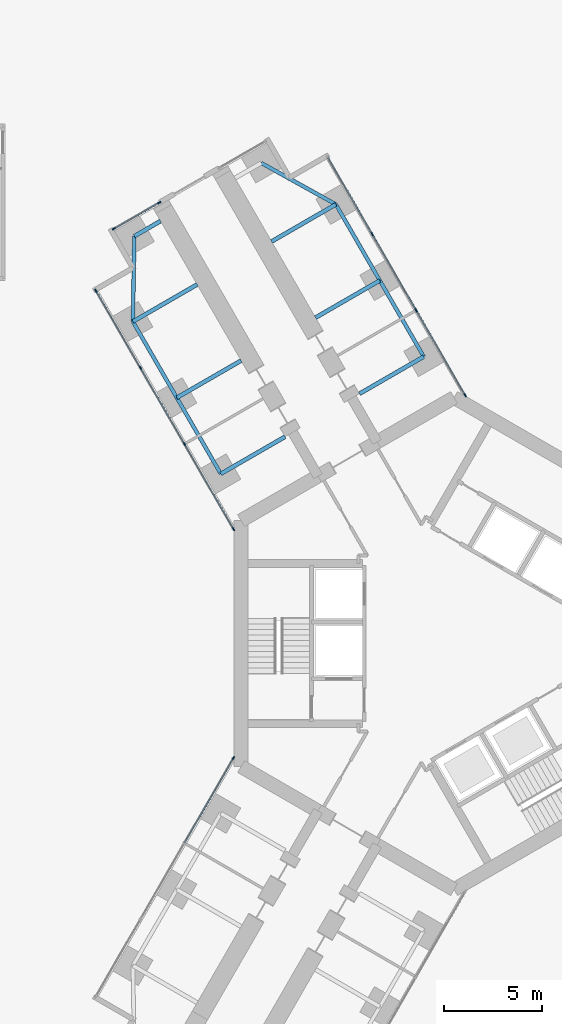
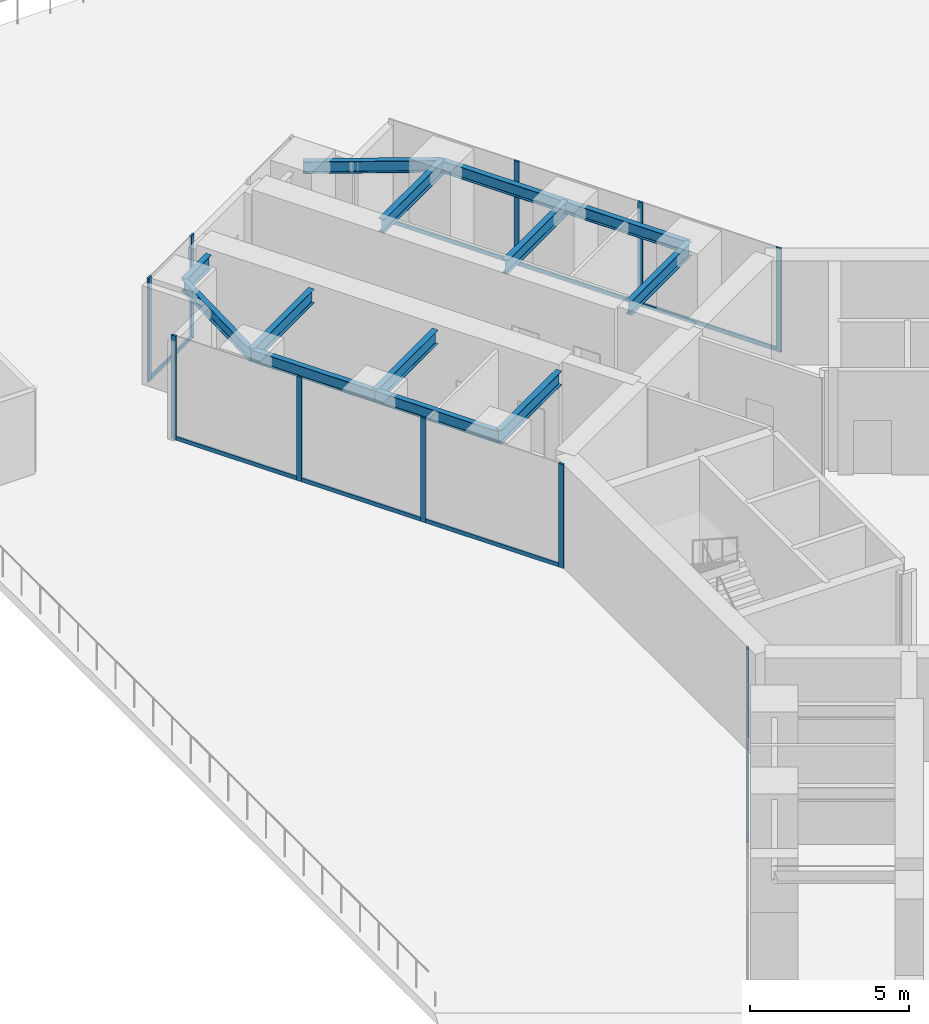
# One storey, part 4 of 23: 18 members, 13 beams, 4 elements without a shape of their own.
"""IFC4 building model written with IfcOpenShell, lengths in metres."""

import ifcopenshell
import ifcopenshell.guid

model = None  # the IFC model being written
_history = None  # IfcOwnerHistory: only IFC2X3 demands one
_inside = {}  # id of a spatial element -> (the spatial element, [elements in it])
_under = {}  # id of a project, library or spatial element -> (it, [spatial elements below it])
_declared = {}  # id of a project -> (the project, [libraries it declares])
_typed = {}  # id of a type object -> (the type object, [elements of that type])
_made_of = {}  # id of a material, layer set ... -> (it, [elements and type objects made of it])


def new_model(schema):
    """Start an empty IFC model of exactly this schema.

    Asked for "IFC4X3", IfcOpenShell would pick the latest addendum, in which some entities
    have other attributes; the version numbers below select the first issue.
    IFC2X3 requires an IfcOwnerHistory on every rooted entity: one is made here for all.
    """
    global model, _history
    if schema == "IFC4X3":
        model = ifcopenshell.file(schema_version=(4, 3, 0, 0))
    else:
        model = ifcopenshell.file(schema=schema)
    _inside.clear()
    _under.clear()
    _declared.clear()
    _typed.clear()
    _made_of.clear()
    _history = None
    if model.schema == "IFC2X3":
        org = make("IfcOrganization", Name="unknown")
        user = make(
            "IfcPersonAndOrganization",
            ThePerson=make("IfcPerson", FamilyName="unknown"),
            TheOrganization=org,
        )
        app = make(
            "IfcApplication",
            ApplicationDeveloper=org,
            Version="unknown",
            ApplicationFullName="unknown",
            ApplicationIdentifier="unknown",
        )
        _history = make(
            "IfcOwnerHistory",
            OwningUser=user,
            OwningApplication=app,
            ChangeAction="ADDED",
            CreationDate=0,
        )
    return model


def make(cls, **values):
    """One entity of the class cls with the attributes given. An attribute that is None is left unset."""
    return model.create_entity(
        cls, **{name: value for name, value in values.items() if value is not None}
    )


def rooted(cls, **values):
    """An entity with a GlobalId (a new one), such as an element, a storey or a relation."""
    return make(cls, GlobalId=ifcopenshell.guid.new(), OwnerHistory=_history, **values)


def si_unit(unit_type, name, prefix=None):
    """IfcSIUnit, for example si_unit("LENGTHUNIT", "METRE", prefix="MILLI")."""
    return make("IfcSIUnit", UnitType=unit_type, Prefix=prefix, Name=name)


def assignment(units):
    """IfcUnitAssignment: the units of a project."""
    return None if units is None else make("IfcUnitAssignment", Units=units)


def point(xyz):
    """IfcCartesianPoint."""
    return None if xyz is None else make("IfcCartesianPoint", Coordinates=xyz)


def direction(xyz):
    """IfcDirection."""
    return None if xyz is None else make("IfcDirection", DirectionRatios=xyz)


def frame(location, z_axis=None, x_axis=None):
    """IfcAxis2Placement3D, a coordinate frame: its origin and axes. An axis left out is left unset."""
    return make(
        "IfcAxis2Placement3D",
        Location=point(location),
        Axis=direction(z_axis),
        RefDirection=direction(x_axis),
    )


def frame_2d(location, x_axis=None):
    """IfcAxis2Placement2D, a coordinate frame in the plane: its origin and x axis."""
    return make(
        "IfcAxis2Placement2D", Location=point(location), RefDirection=direction(x_axis)
    )


def origin():
    """The frame at (0, 0, 0) with its axes left unset."""
    return frame((0.0, 0.0, 0.0))


def origin_2d():
    """The frame at (0, 0) in the plane with its x axis left unset."""
    return frame_2d((0.0, 0.0))


def place(relative_to, where):
    """IfcLocalPlacement: puts the frame where relative to a parent placement (None: the world)."""
    return make(
        "IfcLocalPlacement", PlacementRelTo=relative_to, RelativePlacement=where
    )


def context(
    kind, dimensions, precision=None, world=None, true_north=None, identifier=None
):
    """IfcGeometricRepresentationContext, for example the 3D "Model" context."""
    return make(
        "IfcGeometricRepresentationContext",
        ContextIdentifier=identifier,
        ContextType=kind,
        CoordinateSpaceDimension=dimensions,
        Precision=precision,
        WorldCoordinateSystem=world,
        TrueNorth=true_north,
    )


def subcontext(parent, identifier, kind, view, scale=None):
    """IfcGeometricRepresentationSubContext, for example "Body" below "Model"."""
    return make(
        "IfcGeometricRepresentationSubContext",
        ContextIdentifier=identifier,
        ContextType=kind,
        ParentContext=parent,
        TargetScale=scale,
        TargetView=view,
    )


def project(units=None, contexts=None):
    """IfcProject with its units and contexts."""
    return rooted(
        "IfcProject",
        Name="project",
        RepresentationContexts=contexts,
        UnitsInContext=assignment(units),
    )


def spatial(cls, under=None, at=None, **own):
    """A site, building, storey or space (cls), placed at a placement, below another one or the project."""
    s = rooted(cls, ObjectPlacement=at, **own)
    if under is not None:
        _under.setdefault(under.id(), (under, []))[1].append(s)
    return s


def profile(cls, at=None, kind="AREA", **sizes):
    """A parametric profile (cls). Its sizes go by their IFC names, for example OverallWidth=200.0."""
    return make(cls, ProfileType=kind, Position=at, **sizes)


def rectangle(**sizes):
    """IfcRectangleProfileDef."""
    return profile("IfcRectangleProfileDef", **sizes)


def i_section(**sizes):
    """IfcIShapeProfileDef."""
    return profile("IfcIShapeProfileDef", **sizes)


def extrude(swept, where, along, depth):
    """IfcExtrudedAreaSolid: the profile swept, set in the frame where, extruded along a direction by depth."""
    return make(
        "IfcExtrudedAreaSolid",
        SweptArea=swept,
        Position=where,
        ExtrudedDirection=direction(along),
        Depth=depth,
    )


def shape(context_of_items, identifier, shape_type, items):
    """IfcShapeRepresentation: the items that make up one representation, for example the "Body"."""
    return make(
        "IfcShapeRepresentation",
        ContextOfItems=context_of_items,
        RepresentationIdentifier=identifier,
        RepresentationType=shape_type,
        Items=items,
    )


def material(Name=None, Category=None):
    """IfcMaterial."""
    return make("IfcMaterial", Name=Name, Category=Category)


def material_profile(
    of_material, cross_section, Name=None, Category=None, Priority=None
):
    """IfcMaterialProfile: a cross section and its material."""
    return make(
        "IfcMaterialProfile",
        Name=Name,
        Material=of_material,
        Profile=cross_section,
        Priority=Priority,
        Category=Category,
    )


def profile_set(profiles, Name=None, composite=None):
    """IfcMaterialProfileSet."""
    return make(
        "IfcMaterialProfileSet",
        Name=Name,
        MaterialProfiles=profiles,
        CompositeProfile=composite,
    )


def made_of(thing, what):
    """Note that an element or type object is made of a material, layer set ...; save() writes the relation."""
    if what is not None:
        _made_of.setdefault(what.id(), (what, []))[1].append(thing)
    return thing


def type_object(cls, material=None, **own):
    """A type object (cls), such as IfcWallType, which elements share."""
    return made_of(rooted(cls, **own), material)


def element(
    cls,
    number,
    at=None,
    inside=None,
    cuts=None,
    type_object=None,
    material=None,
    context=None,
    identifier="Body",
    shape_type=None,
    held_by="IfcProductDefinitionShape",
    body=None,
    shapes=None,
    **own,
):
    """One element of the class cls, such as IfcWall. Its Tag is "e" and its number.

    at: its placement. inside: the storey or other place that contains it. cuts: it is an
    opening in that element (IfcRelVoidsElement). A single representation is given by context,
    identifier, shape_type and body (its items); several are given by shapes. held_by: the class
    of the entity that holds the representations. save() writes the other relations.
    """
    e = rooted(cls, Tag="e%d" % number, ObjectPlacement=at, **own)
    if body is not None:
        shapes = [shape(context, identifier, shape_type, body)]
    if shapes is not None:
        e.Representation = make(held_by, Representations=shapes)
    if inside is not None:
        _inside.setdefault(inside.id(), (inside, []))[1].append(e)
    if cuts is not None:
        rooted(
            "IfcRelVoidsElement", RelatingBuildingElement=cuts, RelatedOpeningElement=e
        )
    if type_object is not None:
        _typed.setdefault(type_object.id(), (type_object, []))[1].append(e)
    return made_of(e, material)


def aggregate(whole, parts):
    """IfcRelAggregates: a whole, such as a stair, and the parts it consists of."""
    return rooted("IfcRelAggregates", RelatingObject=whole, RelatedObjects=parts)


def save(model, path):
    """Write the relations noted so far, then the file.

    IfcRelAggregates (storeys below a building ...), IfcRelContainedInSpatialStructure (elements
    in a storey), IfcRelDefinesByType, IfcRelAssociatesMaterial and IfcRelDeclares: one each for
    every whole, place, type object, material and project.
    """
    for whole, parts in _under.values():
        aggregate(whole, parts)
    for where, things in _inside.values():
        rooted(
            "IfcRelContainedInSpatialStructure",
            RelatedElements=things,
            RelatingStructure=where,
        )
    for kind, things in _typed.values():
        rooted("IfcRelDefinesByType", RelatedObjects=things, RelatingType=kind)
    for what, things in _made_of.values():
        rooted("IfcRelAssociatesMaterial", RelatedObjects=things, RelatingMaterial=what)
    for by, libraries in _declared.values():
        rooted("IfcRelDeclares", RelatingContext=by, RelatedDefinitions=libraries)
    model.write(path)


model = new_model("IFC4")

# Units and contexts
model_context = context("Model", 3, precision=1e-05, world=origin(), true_north=direction((0.0, 1.0)))
body_context = subcontext(model_context, "Body", "Model", "MODEL_VIEW")
ifc_project = project(units=[si_unit("LENGTHUNIT", "METRE"), si_unit("AREAUNIT", "SQUARE_METRE"), si_unit("VOLUMEUNIT", "CUBIC_METRE"), si_unit("PLANEANGLEUNIT", "RADIAN"), si_unit("MASSUNIT", "GRAM", prefix="KILO")], contexts=[model_context])

# Site, building, storey
site_placement = place(None, origin())
site = spatial("IfcSite", under=ifc_project, at=site_placement, CompositionType="ELEMENT")
building_placement = place(site_placement, origin())
building = spatial("IfcBuilding", under=site, at=building_placement, Name="Upepo Twin Towers", CompositionType="ELEMENT")
storey_placement = place(building_placement, frame((0.0, 0.0, 20.5)))
storey = spatial("IfcBuildingStorey", under=building, at=storey_placement, Name="L04", CompositionType="ELEMENT", Elevation=20.5)

# Beams
ifc_material_1 = material(Name="Steel S355", Category="steel")
ifc_material_profile_1 = material_profile(ifc_material_1, i_section(OverallWidth=0.1904296875, OverallDepth=0.45703125, WebThickness=0.009033203125, FlangeThickness=0.014404296875, FilletRadius=0.01025390625, at=origin_2d()), Name="UB 457x191x74")
ifc_profile_set_1 = profile_set([ifc_material_profile_1], Name="Steel S355")
beam_type_1 = type_object("IfcBeamType", Name="Beam UB 457x191x74", PredefinedType="BEAM", material=ifc_profile_set_1)
beam_1_placement = place(storey_placement, frame((-11.946044921875, 8.69140625, 3.571533203125), z_axis=(-0.500013631625, 0.866017533419, 0.0), x_axis=(-0.866017533419, -0.500013631625, 0.0)))
element("IfcBeam", 1, at=beam_1_placement, inside=storey, type_object=beam_type_1, Name="T1 edge beam BL 13.5-18.0", PredefinedType="BEAM", context=body_context, shape_type="SweptSolid", body=[
    extrude(i_section(OverallWidth=0.1904296875, OverallDepth=0.45703125, WebThickness=0.009033203125, FlangeThickness=0.014404296875, FilletRadius=0.01025390625, at=origin_2d()), origin(), (0.0, 0.0, 1.0), 4.499755859375),
])
beam_2_placement = place(storey_placement, frame((-14.196044921875, 12.58837890625, 3.571533203125), z_axis=(-0.499990139034, 0.866031096941, 0.0), x_axis=(-0.866031096941, -0.499990139034, 0.0)))
element("IfcBeam", 2, at=beam_2_placement, inside=storey, type_object=beam_type_1, Name="T1 edge beam BL 18.0-22.5", PredefinedType="BEAM", context=body_context, shape_type="SweptSolid", body=[
    extrude(i_section(OverallWidth=0.1904296875, OverallDepth=0.45703125, WebThickness=0.009033203125, FlangeThickness=0.014404296875, FilletRadius=0.01025390625, at=origin_2d()), origin(), (0.0, 0.0, 1.0), 4.5),
])
beam_3_placement = place(storey_placement, frame((-16.446044921875, 16.485595703125, 3.571533203125), z_axis=(0.016803880528, 0.999858804832, 0.0), x_axis=(-0.999858804832, 0.016803880528, 0.0)))
element("IfcBeam", 3, at=beam_3_placement, inside=storey, type_object=beam_type_1, Name="T1 nose edge beam BL", PredefinedType="BEAM", context=body_context, shape_type="SweptSolid", body=[
    extrude(i_section(OverallWidth=0.1904296875, OverallDepth=0.45703125, WebThickness=0.009033203125, FlangeThickness=0.014404296875, FilletRadius=0.01025390625, at=origin_2d()), origin(), (0.0, 0.0, 1.0), 4.373291015625),
])
beam_4_placement = place(storey_placement, frame((-1.553955078125, 14.69140625, 3.571533203125), z_axis=(-0.500013631625, 0.866017533419, 0.0), x_axis=(-0.866017533419, -0.500013631625, 0.0)))
element("IfcBeam", 4, at=beam_4_placement, inside=storey, type_object=beam_type_1, Name="T1 edge beam BR 13.5-18.0", PredefinedType="BEAM", context=body_context, shape_type="SweptSolid", body=[
    extrude(i_section(OverallWidth=0.1904296875, OverallDepth=0.45703125, WebThickness=0.009033203125, FlangeThickness=0.014404296875, FilletRadius=0.01025390625, at=origin_2d()), origin(), (0.0, 0.0, 1.0), 4.499755859375),
])
beam_5_placement = place(storey_placement, frame((-3.803955078125, 18.58837890625, 3.571533203125), z_axis=(-0.499990139034, 0.866031096941, 0.0), x_axis=(-0.866031096941, -0.499990139034, 0.0)))
element("IfcBeam", 5, at=beam_5_placement, inside=storey, type_object=beam_type_1, Name="T1 edge beam BR 18.0-22.5", PredefinedType="BEAM", context=body_context, shape_type="SweptSolid", body=[
    extrude(i_section(OverallWidth=0.1904296875, OverallDepth=0.45703125, WebThickness=0.009033203125, FlangeThickness=0.014404296875, FilletRadius=0.01025390625, at=origin_2d()), origin(), (0.0, 0.0, 1.0), 4.5),
])
beam_6_placement = place(storey_placement, frame((-6.053955078125, 22.485595703125, 3.571533203125), z_axis=(-0.874312600038, 0.485363242752, 0.0), x_axis=(-0.485363242752, -0.874312600038, 0.0)))
element("IfcBeam", 6, at=beam_6_placement, inside=storey, type_object=beam_type_1, Name="T1 nose edge beam BR", PredefinedType="BEAM", context=body_context, shape_type="SweptSolid", body=[
    extrude(i_section(OverallWidth=0.1904296875, OverallDepth=0.45703125, WebThickness=0.009033203125, FlangeThickness=0.014404296875, FilletRadius=0.01025390625, at=origin_2d()), origin(), (0.0, 0.0, 1.0), 4.373046875),
])
ifc_material_2 = material(Name="Steel S355", Category="steel")
ifc_material_profile_2 = material_profile(ifc_material_2, i_section(OverallWidth=0.2099609375, OverallDepth=0.53662109375, WebThickness=0.0107421875, FlangeThickness=0.017333984375, FilletRadius=0.0126953125, at=origin_2d()), Name="UB 533x210x101")
ifc_profile_set_2 = profile_set([ifc_material_profile_2], Name="Steel S355")
beam_type_2 = type_object("IfcBeamType", Name="Beam UB 533x210x101", PredefinedType="BEAM", material=ifc_profile_set_2)
beam_7_placement = place(storey_placement, frame((-16.37255859375, 20.858154296875, 3.53173828125), z_axis=(0.866043940782, 0.499967891604, 0.0), x_axis=(-0.499967891604, 0.866043940782, 0.0)))
element("IfcBeam", 7, at=beam_7_placement, inside=storey, type_object=beam_type_2, Name="T1 nose beam BL", PredefinedType="BEAM", context=body_context, shape_type="SweptSolid", body=[
    extrude(i_section(OverallWidth=0.2099609375, OverallDepth=0.53662109375, WebThickness=0.0107421875, FlangeThickness=0.017333984375, FilletRadius=0.0126953125, at=origin_2d()), origin(), (0.0, 0.0, 1.0), 1.5498046875),
])
ifc_material_3 = material(Name="Steel S355", Category="steel")
ifc_material_profile_3 = material_profile(ifc_material_3, i_section(OverallWidth=0.209228515625, OverallDepth=0.533203125, WebThickness=0.010009765625, FlangeThickness=0.015625, FilletRadius=0.0126953125, at=origin_2d()), Name="UB 533x210x92")
ifc_profile_set_3 = profile_set([ifc_material_profile_3], Name="Steel S355")
beam_type_3 = type_object("IfcBeamType", Name="Beam UB 533x210x92", PredefinedType="BEAM", material=ifc_profile_set_3)
beam_8_placement = place(storey_placement, frame((-11.946044921875, 8.69140625, 3.533447265625), z_axis=(0.866028304915, 0.499994975061, 0.0), x_axis=(-0.499994975061, 0.866028304915, 0.0)))
element("IfcBeam", 8, at=beam_8_placement, inside=storey, type_object=beam_type_3, Name="T1 girder BL at 13.5", PredefinedType="BEAM", context=body_context, shape_type="SweptSolid", body=[
    extrude(i_section(OverallWidth=0.209228515625, OverallDepth=0.533203125, WebThickness=0.010009765625, FlangeThickness=0.015625, FilletRadius=0.0126953125, at=origin_2d()), origin(), (0.0, 0.0, 1.0), 3.7998046875),
])
beam_9_placement = place(storey_placement, frame((-14.196044921875, 12.58837890625, 3.533447265625), z_axis=(0.866000483506, 0.500043160704, 0.0), x_axis=(-0.500043160704, 0.866000483506, 0.0)))
element("IfcBeam", 9, at=beam_9_placement, inside=storey, type_object=beam_type_3, Name="T1 girder BL at 18.0", PredefinedType="BEAM", context=body_context, shape_type="SweptSolid", body=[
    extrude(i_section(OverallWidth=0.209228515625, OverallDepth=0.533203125, WebThickness=0.010009765625, FlangeThickness=0.015625, FilletRadius=0.0126953125, at=origin_2d()), origin(), (0.0, 0.0, 1.0), 3.800048828125),
])
beam_10_placement = place(storey_placement, frame((-16.446044921875, 16.485595703125, 3.533447265625), z_axis=(0.866028304915, 0.499994975061, 0.0), x_axis=(-0.499994975061, 0.866028304915, 0.0)))
element("IfcBeam", 10, at=beam_10_placement, inside=storey, type_object=beam_type_3, Name="T1 girder BL at 22.5", PredefinedType="BEAM", context=body_context, shape_type="SweptSolid", body=[
    extrude(i_section(OverallWidth=0.209228515625, OverallDepth=0.533203125, WebThickness=0.010009765625, FlangeThickness=0.015625, FilletRadius=0.0126953125, at=origin_2d()), origin(), (0.0, 0.0, 1.0), 3.7998046875),
])
beam_11_placement = place(storey_placement, frame((-1.553955078125, 14.69140625, 3.533447265625), z_axis=(-0.866000483506, -0.500043160704, 0.0), x_axis=(0.500043160704, -0.866000483506, 0.0)))
element("IfcBeam", 11, at=beam_11_placement, inside=storey, type_object=beam_type_3, Name="T1 girder BR at 13.5", PredefinedType="BEAM", context=body_context, shape_type="SweptSolid", body=[
    extrude(i_section(OverallWidth=0.209228515625, OverallDepth=0.533203125, WebThickness=0.010009765625, FlangeThickness=0.015625, FilletRadius=0.0126953125, at=origin_2d()), origin(), (0.0, 0.0, 1.0), 3.800048828125),
])
for number, where, z_axis, x_axis, name in (
    (12, (-3.803955078125, 18.58837890625, 3.533447265625), (-0.866028304915, -0.499994975061, 0.0), (0.499994975061, -0.866028304915, 0.0), "T1 girder BR at 18.0"),
    (13, (-6.053955078125, 22.485595703125, 3.533447265625), (-0.866028304915, -0.499994975061, 0.0), (0.499994975061, -0.866028304915, 0.0), "T1 girder BR at 22.5"),
):
    element("IfcBeam", number, at=place(storey_placement, frame(where, z_axis=z_axis, x_axis=x_axis)), inside=storey, type_object=beam_type_3, Name=name, PredefinedType="BEAM", context=body_context, shape_type="SweptSolid", body=[
        extrude(i_section(OverallWidth=0.209228515625, OverallDepth=0.533203125, WebThickness=0.010009765625, FlangeThickness=0.015625, FilletRadius=0.0126953125, at=origin_2d()), origin(), (0.0, 0.0, 1.0), 3.7998046875),
    ])

# Curtain wall, members
ifc_material_4 = material(Name="Aluminium and fritted glass", Category="aluminium")
curtain_wall_type = type_object("IfcCurtainWallType", Name="Tower curtain wall TW1, fritted glass", PredefinedType="NOTDEFINED", material=ifc_material_4)
curtain_wall_1_placement = place(storey_placement, origin())
curtain_wall_1 = element("IfcCurtainWall", 14, at=curtain_wall_1_placement, inside=storey, type_object=curtain_wall_type, Name="T1 L04 wing B flank L curtain wall", PredefinedType="NOTDEFINED")
ifc_material_5 = material(Name="Aluminium mullion", Category="aluminium")
ifc_material_profile_4 = material_profile(ifc_material_5, rectangle(XDim=0.06494140625, YDim=0.179931640625, at=origin_2d()), Name="MULLION 65x180")
ifc_profile_set_4 = profile_set([ifc_material_profile_4], Name="Aluminium mullion")
member_type_1 = type_object("IfcMemberType", Name="Mullion 65x180 TW1", PredefinedType="MULLION", material=ifc_profile_set_4)
member_1_placement = place(storey_placement, frame((-11.2919921875, 5.8583984375, 0.0), z_axis=(0.0, 0.0, 1.0), x_axis=(-0.866025389682, -0.500000024426, 0.0)))
member_1 = element("IfcMember", 15, at=member_1_placement, type_object=member_type_1, Name="T1 L04 wing B flank L curtain wall mullion 1", PredefinedType="MULLION", context=body_context, shape_type="SweptSolid", body=[
    extrude(rectangle(XDim=0.06494140625, YDim=0.179931640625, at=origin_2d()), origin(), (0.0, 0.0, 1.0), 4.0),
])
member_2_placement = place(storey_placement, frame((-13.807373046875, 10.21484375, 0.0), z_axis=(0.0, 0.0, 1.0), x_axis=(-0.866025389682, -0.500000024426, 0.0)))
member_2 = element("IfcMember", 16, at=member_2_placement, type_object=member_type_1, Name="T1 L04 wing B flank L curtain wall mullion 2", PredefinedType="MULLION", context=body_context, shape_type="SweptSolid", body=[
    extrude(rectangle(XDim=0.06494140625, YDim=0.179931640625, at=origin_2d()), origin(), (0.0, 0.0, 1.0), 4.0),
])
member_3_placement = place(storey_placement, frame((-16.057373046875, 14.112060546875, 0.0), z_axis=(0.0, 0.0, 1.0), x_axis=(-0.866025389682, -0.500000024426, 0.0)))
member_3 = element("IfcMember", 17, at=member_3_placement, type_object=member_type_1, Name="T1 L04 wing B flank L curtain wall mullion 3", PredefinedType="MULLION", context=body_context, shape_type="SweptSolid", body=[
    extrude(rectangle(XDim=0.06494140625, YDim=0.179931640625, at=origin_2d()), origin(), (0.0, 0.0, 1.0), 4.0),
])
member_4_placement = place(storey_placement, frame((-18.341064453125, 18.067626953125, 0.0), z_axis=(0.0, 0.0, 1.0), x_axis=(-0.866025389682, -0.500000024426, 0.0)))
member_4 = element("IfcMember", 18, at=member_4_placement, type_object=member_type_1, Name="T1 L04 wing B flank L curtain wall mullion 4", PredefinedType="MULLION", context=body_context, shape_type="SweptSolid", body=[
    extrude(rectangle(XDim=0.06494140625, YDim=0.179931640625, at=origin_2d()), origin(), (0.0, 0.0, 1.0), 4.0),
])

curtain_wall_2_placement = place(storey_placement, origin())
curtain_wall_2 = element("IfcCurtainWall", 19, at=curtain_wall_2_placement, inside=storey, type_object=curtain_wall_type, Name="T1 L04 wing B flank R curtain wall", PredefinedType="NOTDEFINED")
member_5_placement = place(storey_placement, frame((-4.192626953125, 20.9619140625, 0.0), z_axis=(0.0, 0.0, 1.0), x_axis=(0.866025389682, 0.500000024426, 0.0)))
member_5 = element("IfcMember", 20, at=member_5_placement, type_object=member_type_1, Name="T1 L04 wing B flank R curtain wall mullion 2", PredefinedType="MULLION", context=body_context, shape_type="SweptSolid", body=[
    extrude(rectangle(XDim=0.06494140625, YDim=0.179931640625, at=origin_2d()), origin(), (0.0, 0.0, 1.0), 4.0),
])
member_6_placement = place(storey_placement, frame((-1.942626953125, 17.06494140625, 0.0), z_axis=(0.0, 0.0, 1.0), x_axis=(0.866025389682, 0.500000024426, 0.0)))
member_6 = element("IfcMember", 21, at=member_6_placement, type_object=member_type_1, Name="T1 L04 wing B flank R curtain wall mullion 3", PredefinedType="MULLION", context=body_context, shape_type="SweptSolid", body=[
    extrude(rectangle(XDim=0.06494140625, YDim=0.179931640625, at=origin_2d()), origin(), (0.0, 0.0, 1.0), 4.0),
])
member_7_placement = place(storey_placement, frame((0.572509765625, 12.70849609375, 0.0), z_axis=(0.0, 0.0, 1.0), x_axis=(0.866025389682, 0.500000024426, 0.0)))
member_7 = element("IfcMember", 22, at=member_7_placement, type_object=member_type_1, Name="T1 L04 wing B flank R curtain wall mullion 4", PredefinedType="MULLION", context=body_context, shape_type="SweptSolid", body=[
    extrude(rectangle(XDim=0.06494140625, YDim=0.179931640625, at=origin_2d()), origin(), (0.0, 0.0, 1.0), 4.0),
])

curtain_wall_3_placement = place(storey_placement, origin())
curtain_wall_3 = element("IfcCurtainWall", 23, at=curtain_wall_3_placement, inside=storey, type_object=curtain_wall_type, Name="T1 L04 wing B nose curtain wall 2", PredefinedType="NOTDEFINED")
member_8_placement = place(storey_placement, frame((-15.09375, 22.578125, 0.0), z_axis=(0.0, 0.0, 1.0), x_axis=(0.499999978023, -0.866025416473, 0.0)))
member_8 = element("IfcMember", 24, at=member_8_placement, type_object=member_type_1, Name="T1 L04 wing B nose curtain wall 2 mullion 1", PredefinedType="MULLION", context=body_context, shape_type="SweptSolid", body=[
    extrude(rectangle(XDim=0.06494140625, YDim=0.179931640625, at=origin_2d()), origin(), (0.0, 0.0, 1.0), 4.0),
])
member_9_placement = place(storey_placement, frame((-17.4189453125, 21.235595703125, 0.0), z_axis=(0.0, 0.0, 1.0), x_axis=(0.499999978023, -0.866025416473, 0.0)))
member_9 = element("IfcMember", 25, at=member_9_placement, type_object=member_type_1, Name="T1 L04 wing B nose curtain wall 2 mullion 2", PredefinedType="MULLION", context=body_context, shape_type="SweptSolid", body=[
    extrude(rectangle(XDim=0.06494140625, YDim=0.179931640625, at=origin_2d()), origin(), (0.0, 0.0, 1.0), 4.0),
])

# Curtain wall, member
curtain_wall_4_placement = place(storey_placement, origin())
curtain_wall_4 = element("IfcCurtainWall", 26, at=curtain_wall_4_placement, inside=storey, type_object=curtain_wall_type, Name="T1 L04 wing C flank R curtain wall", PredefinedType="NOTDEFINED")
member_10_placement = place(storey_placement, frame((-11.2919921875, -5.8583984375, 0.0), z_axis=(0.0, 0.0, 1.0), x_axis=(-0.866025389682, 0.500000024426, 0.0)))
member_10 = element("IfcMember", 27, at=member_10_placement, type_object=member_type_1, Name="T1 L04 wing C flank R curtain wall mullion 4", PredefinedType="MULLION", context=body_context, shape_type="SweptSolid", body=[
    extrude(rectangle(XDim=0.06494140625, YDim=0.179931640625, at=origin_2d()), origin(), (0.0, 0.0, 1.0), 4.0),
])

# Member
ifc_material_6 = material(Name="Aluminium transom", Category="aluminium")
ifc_material_profile_5 = material_profile(ifc_material_6, rectangle(XDim=0.06494140625, YDim=0.14990234375, at=origin_2d()), Name="TRANSOM 65x150")
ifc_profile_set_5 = profile_set([ifc_material_profile_5], Name="Aluminium transom")
member_type_2 = type_object("IfcMemberType", Name="Transom 65x150 TW1", PredefinedType="USERDEFINED", material=ifc_profile_set_5)
member_11_placement = place(storey_placement, frame((-11.308349609375, 5.88671875, 0.074951171875), z_axis=(-0.50000478328, 0.866022642139, 0.0), x_axis=(-0.866022642139, -0.50000478328, 0.0)))
member_11 = element("IfcMember", 28, at=member_11_placement, type_object=member_type_2, Name="T1 L04 wing B flank L curtain wall transom 1", ObjectType="TRANSOM", PredefinedType="USERDEFINED", context=body_context, shape_type="SweptSolid", body=[
    extrude(rectangle(XDim=0.06494140625, YDim=0.14990234375, at=origin_2d()), origin(), (0.0, 0.0, 1.0), 4.96533203125),
])

member_12_placement = place(storey_placement, frame((-13.823486328125, 10.2431640625, 0.074951171875), z_axis=(-0.500005184116, 0.866022410713, 0.0), x_axis=(-0.866022410713, -0.500005184116, 0.0)))
member_12 = element("IfcMember", 29, at=member_12_placement, type_object=member_type_2, Name="T1 L04 wing B flank L curtain wall transom 2", ObjectType="TRANSOM", PredefinedType="USERDEFINED", context=body_context, shape_type="SweptSolid", body=[
    extrude(rectangle(XDim=0.06494140625, YDim=0.14990234375, at=origin_2d()), origin(), (0.0, 0.0, 1.0), 4.43505859375),
])

member_13_placement = place(storey_placement, frame((-16.073486328125, 14.14013671875, 0.074951171875), z_axis=(-0.499982167615, 0.866035699072, 0.0), x_axis=(-0.866035699072, -0.499982167615, 0.0)))
member_13 = element("IfcMember", 30, at=member_13_placement, type_object=member_type_2, Name="T1 L04 wing B flank L curtain wall transom 3", ObjectType="TRANSOM", PredefinedType="USERDEFINED", context=body_context, shape_type="SweptSolid", body=[
    extrude(rectangle(XDim=0.06494140625, YDim=0.14990234375, at=origin_2d()), origin(), (0.0, 0.0, 1.0), 4.502685546875),
])

aggregate(curtain_wall_1, [member_1, member_2, member_3, member_4, member_11, member_12, member_13])

member_14_placement = place(storey_placement, frame((-6.460205078125, 24.889404296875, 0.074951171875), z_axis=(0.500005646842, -0.866022143554, 0.0), x_axis=(0.866022143554, 0.500005646842, 0.0)))
member_14 = element("IfcMember", 31, at=member_14_placement, type_object=member_type_2, Name="T1 L04 wing B flank R curtain wall transom 1", ObjectType="TRANSOM", PredefinedType="USERDEFINED", context=body_context, shape_type="SweptSolid", body=[
    extrude(rectangle(XDim=0.06494140625, YDim=0.14990234375, at=origin_2d()), origin(), (0.0, 0.0, 1.0), 4.50244140625),
])

member_15_placement = place(storey_placement, frame((-4.176513671875, 20.933837890625, 0.074951171875), z_axis=(0.500005184116, -0.866022410713, 0.0), x_axis=(0.866022410713, 0.500005184116, 0.0)))
member_15 = element("IfcMember", 32, at=member_15_placement, type_object=member_type_2, Name="T1 L04 wing B flank R curtain wall transom 2", ObjectType="TRANSOM", PredefinedType="USERDEFINED", context=body_context, shape_type="SweptSolid", body=[
    extrude(rectangle(XDim=0.06494140625, YDim=0.14990234375, at=origin_2d()), origin(), (0.0, 0.0, 1.0), 4.43505859375),
])

member_16_placement = place(storey_placement, frame((-1.926513671875, 17.036865234375, 0.074951171875), z_axis=(0.499983492876, -0.866034933967, 0.0), x_axis=(0.866034933967, 0.499983492876, 0.0)))
member_16 = element("IfcMember", 33, at=member_16_placement, type_object=member_type_2, Name="T1 L04 wing B flank R curtain wall transom 3", ObjectType="TRANSOM", PredefinedType="USERDEFINED", context=body_context, shape_type="SweptSolid", body=[
    extrude(rectangle(XDim=0.06494140625, YDim=0.14990234375, at=origin_2d()), origin(), (0.0, 0.0, 1.0), 4.965576171875),
])

aggregate(curtain_wall_2, [member_5, member_6, member_7, member_14, member_15, member_16])

member_17_placement = place(storey_placement, frame((-15.121826171875, 22.561767578125, 0.074951171875), z_axis=(-0.866021102686, -0.500007449647, 0.0), x_axis=(0.500007449647, -0.866021102686, 0.0)))
member_17 = element("IfcMember", 34, at=member_17_placement, type_object=member_type_2, Name="T1 L04 wing B nose curtain wall 2 transom 1", ObjectType="TRANSOM", PredefinedType="USERDEFINED", context=body_context, shape_type="SweptSolid", body=[
    extrude(rectangle(XDim=0.06494140625, YDim=0.14990234375, at=origin_2d()), origin(), (0.0, 0.0, 1.0), 2.6201171875),
])

aggregate(curtain_wall_3, [member_8, member_9, member_17])

member_18_placement = place(storey_placement, frame((-13.791015625, -10.186767578125, 0.074951171875), z_axis=(0.50000478328, 0.866022642139, 0.0), x_axis=(-0.866022642139, 0.50000478328, 0.0)))
member_18 = element("IfcMember", 35, at=member_18_placement, type_object=member_type_2, Name="T1 L04 wing C flank R curtain wall transom 3", ObjectType="TRANSOM", PredefinedType="USERDEFINED", context=body_context, shape_type="SweptSolid", body=[
    extrude(rectangle(XDim=0.06494140625, YDim=0.14990234375, at=origin_2d()), origin(), (0.0, 0.0, 1.0), 4.96533203125),
])

aggregate(curtain_wall_4, [member_10, member_18])

save(model, "model.ifc")
